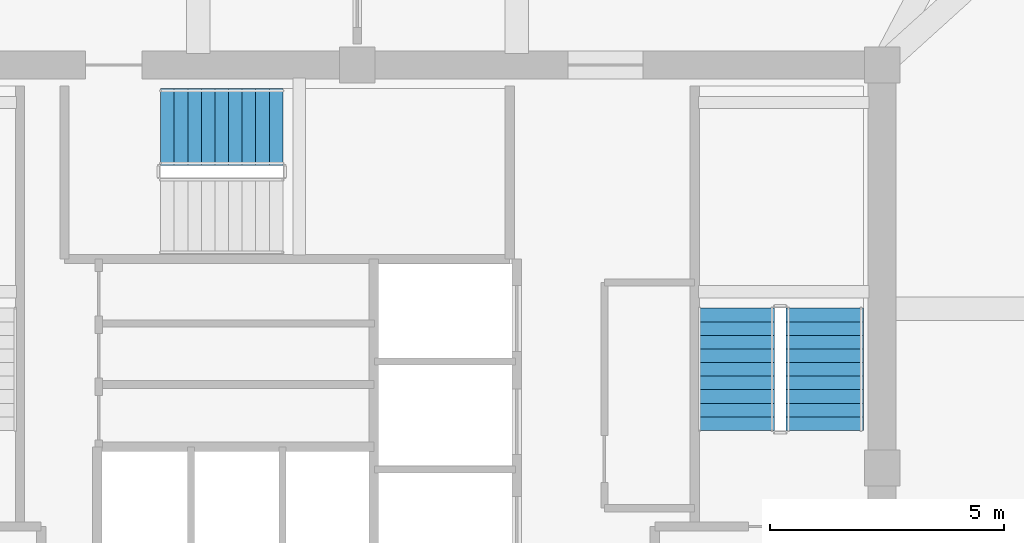
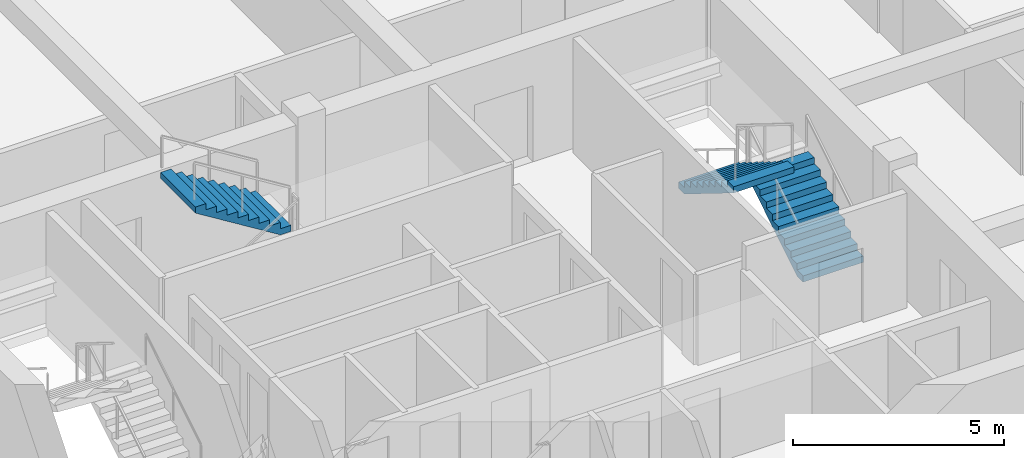
# One storey, part 12 of 14: 3 stair flights, 2 elements without a shape of their own.
"""IFC4 building model written with IfcOpenShell, lengths in metres."""

from ifc_helpers import new_model, si_unit, derived_unit, direction, frame, origin, place, context, subcontext, project, spatial, polyline, outline, extrude, material, type_object, element, aggregate, save


model = new_model("IFC4")

# Units and contexts
model_context = context("Model", 3, precision=1e-05, world=origin(), true_north=direction((0.0, 1.0)))
body_context = subcontext(model_context, "Body", "Model", "MODEL_VIEW")
ifc_project = project(units=[si_unit("LENGTHUNIT", "METRE"), si_unit("AREAUNIT", "SQUARE_METRE"), si_unit("VOLUMEUNIT", "CUBIC_METRE"), si_unit("PLANEANGLEUNIT", "RADIAN"), si_unit("MASSUNIT", "GRAM", prefix="KILO"), derived_unit("THERMALTRANSMITTANCEUNIT", [(si_unit("POWERUNIT", "WATT"), 1), (si_unit("LENGTHUNIT", "METRE"), -2), (si_unit("THERMODYNAMICTEMPERATUREUNIT", "KELVIN"), -1)])], contexts=[model_context])

# Site, building, storey
site_placement = place(None, origin())
site = spatial("IfcSite", under=ifc_project, at=site_placement, CompositionType="ELEMENT")
building_placement = place(site_placement, origin())
building = spatial("IfcBuilding", under=site, at=building_placement, Name="Koralith Skygarden Medical Center", CompositionType="ELEMENT")
storey_placement = place(building_placement, frame((0.0, 0.0, 275.219970703125)))
storey = spatial("IfcBuildingStorey", under=building, at=storey_placement, Name="L71", CompositionType="ELEMENT", Elevation=275.219970703125)

# Stair, stair flights
ifc_material = material(Name="Concrete C45/55", Category="concrete")
stair_type = type_object("IfcStairType", Name="Core Exit Dogleg Concrete Stair", PredefinedType="HALF_TURN_STAIR", material=ifc_material)
stair_1_placement = place(storey_placement, origin())
stair_1 = element("IfcStair", 1, at=stair_1_placement, inside=storey, type_object=stair_type, Name="L71 Smokeproof Exit Stair ST2", PredefinedType="HALF_TURN_STAIR")
stair_flight_type = type_object("IfcStairFlightType", Name="Core Exit Concrete Stair Flight 1650", PredefinedType="STRAIGHT", material=ifc_material)
stair_flight_1_placement = place(storey_placement, frame((46.97509765625, 26.699951171875, 0.0), z_axis=(0.0, 0.0, 1.0), x_axis=(0.0, 1.0, 0.0)))
stair_flight_1 = element("IfcStairFlight", 2, at=stair_flight_1_placement, type_object=stair_flight_type, Name="ST2 flight 1", NumberOfRisers=10, NumberOfTreads=9, PredefinedType="STRAIGHT", RiserHeight=0.18, TreadLength=0.29, context=body_context, shape_type="SweptSolid", body=[
    extrude(outline(polyline([(0.0, 0.0), (0.0, 0.179931640625), (0.2900390625, 0.179931640625), (0.2900390625, 0.360107421875), (0.580078125, 0.360107421875), (0.580078125, 0.5400390625), (0.8701171875, 0.5400390625), (0.8701171875, 0.719970703125), (1.159912109375, 0.719970703125), (1.159912109375, 0.89990234375), (1.449951171875, 0.89990234375), (1.449951171875, 1.080078125), (1.739990234375, 1.080078125), (1.739990234375, 1.260009765625), (2.030029296875, 1.260009765625), (2.030029296875, 1.43994140625), (2.320068359375, 1.43994140625), (2.320068359375, 1.6201171875), (2.610107421875, 1.6201171875), (2.610107421875, 1.800048828125), (2.610107421875, 1.443603515625), (0.2841796875, 0.0), (0.0, 0.0)])), frame((0.0, 0.824951171875, 0.0), z_axis=(0.0, -1.0, 0.0), x_axis=(1.0, 0.0, 0.0)), (0.0, 0.0, 1.0), 1.64990234375),
])
stair_flight_2_placement = place(storey_placement, frame((45.074951171875, 29.31005859375, 1.800048828125), z_axis=(0.0, 0.0, 1.0), x_axis=(0.0, -1.0, 0.0)))
stair_flight_2 = element("IfcStairFlight", 3, at=stair_flight_2_placement, type_object=stair_flight_type, Name="ST2 flight 2", NumberOfRisers=10, NumberOfTreads=9, PredefinedType="STRAIGHT", RiserHeight=0.18, TreadLength=0.29, context=body_context, shape_type="SweptSolid", body=[
    extrude(outline(polyline([(0.0, 0.0), (0.0, 0.179931640625), (0.2900390625, 0.179931640625), (0.2900390625, 0.360107421875), (0.580078125, 0.360107421875), (0.580078125, 0.5400390625), (0.8701171875, 0.5400390625), (0.8701171875, 0.719970703125), (1.159912109375, 0.719970703125), (1.159912109375, 0.89990234375), (1.449951171875, 0.89990234375), (1.449951171875, 1.080078125), (1.739990234375, 1.080078125), (1.739990234375, 1.260009765625), (2.030029296875, 1.260009765625), (2.030029296875, 1.43994140625), (2.320068359375, 1.43994140625), (2.320068359375, 1.6201171875), (2.610107421875, 1.6201171875), (2.610107421875, 1.800048828125), (2.610107421875, 1.443603515625), (0.2841796875, 0.0), (0.0, 0.0)])), frame((0.0, 0.824951171875, 0.0), z_axis=(0.0, -1.0, 0.0), x_axis=(1.0, 0.0, 0.0)), (0.0, 0.0, 1.0), 1.64990234375),
])
aggregate(stair_1, [stair_flight_1, stair_flight_2])

# Stair, stair flight
stair_2_placement = place(storey_placement, origin())
stair_2 = element("IfcStair", 4, at=stair_2_placement, inside=storey, type_object=stair_type, Name="L71 Smokeproof Exit Stair ST3", PredefinedType="HALF_TURN_STAIR")
stair_flight_3_placement = place(storey_placement, frame((35.409912109375, 33.175048828125, 1.800048828125), z_axis=(0.0, 0.0, 1.0), x_axis=(-1.0, 0.0, 0.0)))
stair_flight_3 = element("IfcStairFlight", 5, at=stair_flight_3_placement, type_object=stair_flight_type, Name="ST3 flight 2", NumberOfRisers=10, NumberOfTreads=9, PredefinedType="STRAIGHT", RiserHeight=0.18, TreadLength=0.29, context=body_context, shape_type="SweptSolid", body=[
    extrude(outline(polyline([(0.0, 0.0), (0.0, 0.179931640625), (0.2900390625, 0.179931640625), (0.2900390625, 0.360107421875), (0.580078125, 0.360107421875), (0.580078125, 0.5400390625), (0.8701171875, 0.5400390625), (0.8701171875, 0.719970703125), (1.159912109375, 0.719970703125), (1.159912109375, 0.89990234375), (1.449951171875, 0.89990234375), (1.449951171875, 1.080078125), (1.739990234375, 1.080078125), (1.739990234375, 1.260009765625), (2.030029296875, 1.260009765625), (2.030029296875, 1.43994140625), (2.320068359375, 1.43994140625), (2.320068359375, 1.6201171875), (2.610107421875, 1.6201171875), (2.610107421875, 1.800048828125), (2.610107421875, 1.443603515625), (0.2841796875, 0.0), (0.0, 0.0)])), frame((0.0, 0.824951171875, 0.0), z_axis=(0.0, -1.0, 0.0), x_axis=(1.0, 0.0, 0.0)), (0.0, 0.0, 1.0), 1.64990234375),
])
aggregate(stair_2, [stair_flight_3])

save(model, "model.ifc")
